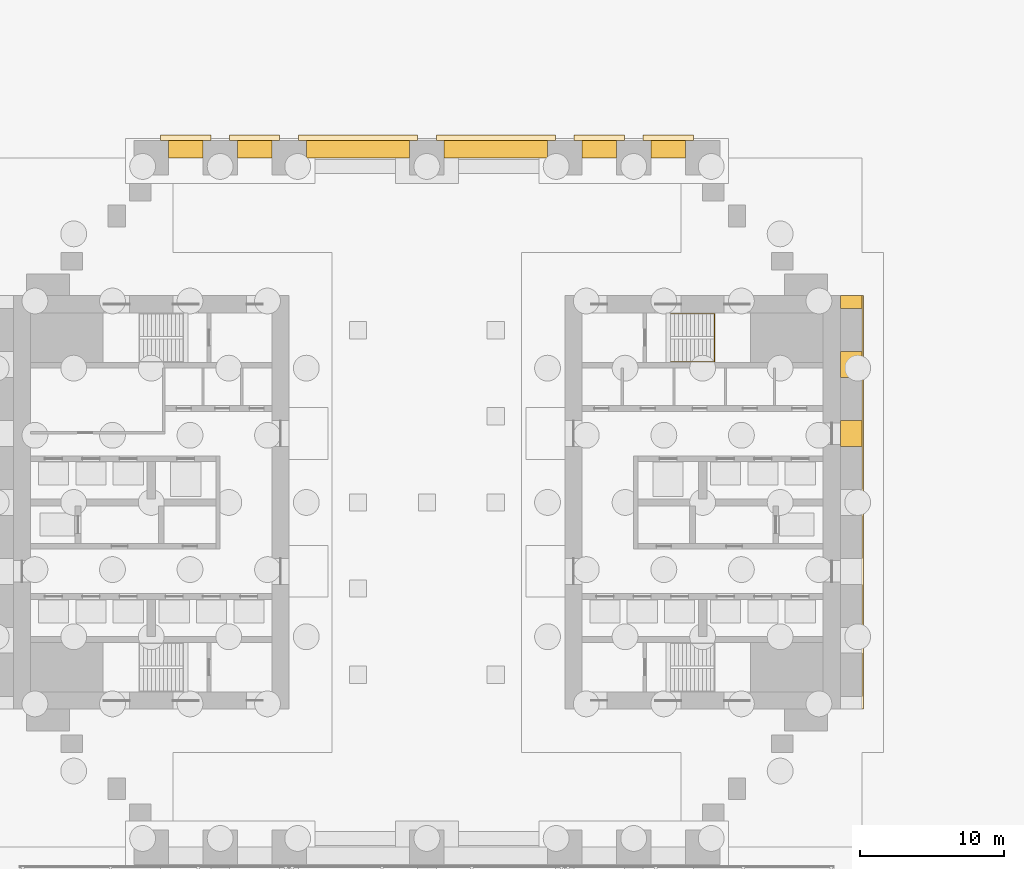
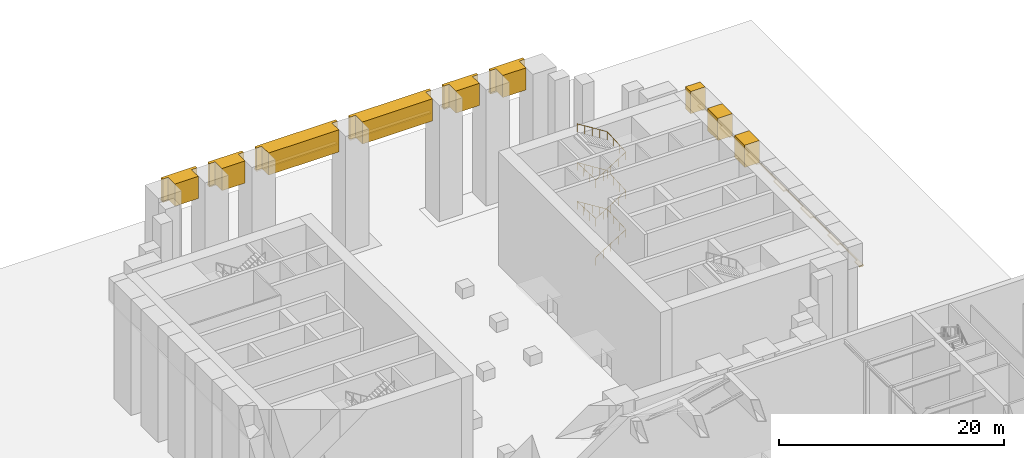
# One storey, part 57 of 58: 16 coverings, 1 railing.
"""IFC4 building model written with IfcOpenShell, lengths in metres."""

from ifc_helpers import new_model, si_unit, direction, frame, origin, origin_2d, place, context, subcontext, project, spatial, polyline, circle, outline, extrude, material, type_object, element, save


model = new_model("IFC4")

# Units and contexts
model_context = context("Model", 3, precision=1e-05, world=origin(), true_north=direction((0.0, 1.0)))
body_context = subcontext(model_context, "Body", "Model", "MODEL_VIEW")
ifc_project = project(units=[si_unit("LENGTHUNIT", "METRE"), si_unit("AREAUNIT", "SQUARE_METRE"), si_unit("VOLUMEUNIT", "CUBIC_METRE"), si_unit("PLANEANGLEUNIT", "RADIAN"), si_unit("MASSUNIT", "GRAM", prefix="KILO")], contexts=[model_context])

# Site, building, storey
site_placement = place(None, origin())
site = spatial("IfcSite", under=ifc_project, at=site_placement, CompositionType="ELEMENT")
building_placement = place(site_placement, origin())
building = spatial("IfcBuilding", under=site, at=building_placement, Name="Baori Bourse Tower", CompositionType="ELEMENT")
storey_placement = place(building_placement, origin())
storey = spatial("IfcBuildingStorey", under=building, at=storey_placement, Name="L00", CompositionType="ELEMENT", Elevation=0.0)

# Railing
ifc_material_1 = material(Name="Powder-coated steel balustrade", Category="steel")
railing_type = type_object("IfcRailingType", Name="Core stair handrail", PredefinedType="HANDRAIL", material=ifc_material_1)
railing_placement = place(storey_placement, frame((45.75, 33.800048828125, 0.175048828125)))
element("IfcRailing", 1, at=railing_placement, inside=storey, type_object=railing_type, Name="L00 ST4 stair handrail 1", PredefinedType="HANDRAIL", context=body_context, shape_type="SweptSolid", body=[
    extrude(circle(Radius=0.02392578125, at=origin_2d()), frame((0.0, 0.0, 0.8759765625), z_axis=(0.847998304005, 0.0, 0.529998940003), x_axis=(0.0, 1.0, 0.0)), (0.0, 0.0, 1.0), 3.632080078125),
    extrude(circle(Radius=0.02392578125, at=origin_2d()), frame((3.080078125, 0.0, 2.80078125), z_axis=(0.0, 0.998641252765, 0.052111882296), x_axis=(-1.0, 0.0, 0.0)), (0.0, 0.0, 1.0), 3.3544921875),
    extrude(circle(Radius=0.02392578125, at=origin_2d()), frame((3.080078125, 3.349853515625, 2.9755859375), z_axis=(-0.847998304005, 0.0, 0.529998940003), x_axis=(0.0, -1.0, 0.0)), (0.0, 0.0, 1.0), 3.632080078125),
    extrude(circle(Radius=0.02392578125, at=origin_2d()), frame((0.0, 3.349853515625, 4.90087890625), z_axis=(0.0, -0.99863746249, 0.052184466191), x_axis=(1.0, 0.0, 0.0)), (0.0, 0.0, 1.0), 3.3544921875),
    extrude(circle(Radius=0.02392578125, at=origin_2d()), frame((0.0, 0.0, 5.07568359375), z_axis=(0.847998304005, 0.0, 0.529998940003), x_axis=(0.0, 1.0, 0.0)), (0.0, 0.0, 1.0), 3.632080078125),
    extrude(circle(Radius=0.02392578125, at=origin_2d()), frame((3.080078125, 0.0, 7.0009765625), z_axis=(0.0, 0.99863746249, 0.052184466191), x_axis=(-1.0, 0.0, 0.0)), (0.0, 0.0, 1.0), 3.3544921875),
    extrude(circle(Radius=0.02392578125, at=origin_2d()), frame((3.080078125, 3.349853515625, 7.17578125), z_axis=(-0.848028513186, 0.0, 0.529950602248), x_axis=(0.0, -1.0, 0.0)), (0.0, 0.0, 1.0), 3.632080078125),
    extrude(circle(Radius=0.02392578125, at=origin_2d()), frame((0.0, 3.349853515625, 9.1005859375), z_axis=(0.0, -0.99863746249, 0.052184466191), x_axis=(1.0, 0.0, 0.0)), (0.0, 0.0, 1.0), 3.3544921875),
    extrude(circle(Radius=0.02392578125, at=origin_2d()), frame((0.0, 0.0, 9.27587890625), z_axis=(0.847998304005, 0.0, 0.529998940003), x_axis=(0.0, 1.0, 0.0)), (0.0, 0.0, 1.0), 3.632080078125),
    extrude(circle(Radius=0.02392578125, at=origin_2d()), frame((3.080078125, 0.0, 11.20068359375), z_axis=(0.0, 0.99863746249, 0.052184466191), x_axis=(-1.0, 0.0, 0.0)), (0.0, 0.0, 1.0), 3.3544921875),
    extrude(circle(Radius=0.02392578125, at=origin_2d()), frame((3.080078125, 3.349853515625, 11.3759765625), z_axis=(-0.847998304005, 0.0, 0.529998940003), x_axis=(0.0, -1.0, 0.0)), (0.0, 0.0, 1.0), 3.632080078125),
    extrude(circle(Radius=0.02099609375, at=origin_2d()), origin(), (0.0, 0.0, 1.0), 0.851806640625),
    extrude(circle(Radius=0.02099609375, at=origin_2d()), frame((0.77001953125, 0.0, 0.481201171875)), (0.0, 0.0, 1.0), 0.851806640625),
    extrude(circle(Radius=0.02099609375, at=origin_2d()), frame((1.5400390625, 0.0, 0.96240234375)), (0.0, 0.0, 1.0), 0.851806640625),
    extrude(circle(Radius=0.02099609375, at=origin_2d()), frame((2.31005859375, 0.0, 1.44384765625)), (0.0, 0.0, 1.0), 0.851806640625),
    extrude(circle(Radius=0.02099609375, at=origin_2d()), frame((3.080078125, 0.0, 1.925048828125)), (0.0, 0.0, 1.0), 0.851806640625),
    extrude(circle(Radius=0.02099609375, at=origin_2d()), frame((3.080078125, 1.11669921875, 1.9833984375)), (0.0, 0.0, 1.0), 0.851806640625),
    extrude(circle(Radius=0.02099609375, at=origin_2d()), frame((3.080078125, 2.233154296875, 2.04150390625)), (0.0, 0.0, 1.0), 0.851806640625),
    extrude(circle(Radius=0.02099609375, at=origin_2d()), frame((3.080078125, 3.349853515625, 2.099853515625)), (0.0, 0.0, 1.0), 0.851806640625),
    extrude(circle(Radius=0.02099609375, at=origin_2d()), frame((2.31005859375, 3.349853515625, 2.5810546875)), (0.0, 0.0, 1.0), 0.851806640625),
    extrude(circle(Radius=0.02099609375, at=origin_2d()), frame((1.5400390625, 3.349853515625, 3.0625)), (0.0, 0.0, 1.0), 0.851806640625),
    extrude(circle(Radius=0.02099609375, at=origin_2d()), frame((0.77001953125, 3.349853515625, 3.543701171875)), (0.0, 0.0, 1.0), 0.851806640625),
    extrude(circle(Radius=0.02099609375, at=origin_2d()), frame((0.0, 3.349853515625, 4.02490234375)), (0.0, 0.0, 1.0), 0.851806640625),
    extrude(circle(Radius=0.02099609375, at=origin_2d()), frame((0.0, 2.233154296875, 4.083251953125)), (0.0, 0.0, 1.0), 0.851806640625),
    extrude(circle(Radius=0.02099609375, at=origin_2d()), frame((0.0, 1.11669921875, 4.1416015625)), (0.0, 0.0, 1.0), 0.851806640625),
    extrude(circle(Radius=0.02099609375, at=origin_2d()), frame((0.0, 0.0, 4.199951171875)), (0.0, 0.0, 1.0), 0.851806640625),
    extrude(circle(Radius=0.02099609375, at=origin_2d()), frame((0.77001953125, 0.0, 4.68115234375)), (0.0, 0.0, 1.0), 0.851806640625),
    extrude(circle(Radius=0.02099609375, at=origin_2d()), frame((1.5400390625, 0.0, 5.16259765625)), (0.0, 0.0, 1.0), 0.851806640625),
    extrude(circle(Radius=0.02099609375, at=origin_2d()), frame((2.31005859375, 0.0, 5.643798828125)), (0.0, 0.0, 1.0), 0.851806640625),
    extrude(circle(Radius=0.02099609375, at=origin_2d()), frame((3.080078125, 0.0, 6.125)), (0.0, 0.0, 1.0), 0.851806640625),
    extrude(circle(Radius=0.02099609375, at=origin_2d()), frame((3.080078125, 1.11669921875, 6.183349609375)), (0.0, 0.0, 1.0), 0.851806640625),
    extrude(circle(Radius=0.02099609375, at=origin_2d()), frame((3.080078125, 2.233154296875, 6.24169921875)), (0.0, 0.0, 1.0), 0.851806640625),
    extrude(circle(Radius=0.02099609375, at=origin_2d()), frame((3.080078125, 3.349853515625, 6.300048828125)), (0.0, 0.0, 1.0), 0.851806640625),
    extrude(circle(Radius=0.02099609375, at=origin_2d()), frame((2.31005859375, 3.349853515625, 6.78125)), (0.0, 0.0, 1.0), 0.851806640625),
    extrude(circle(Radius=0.02099609375, at=origin_2d()), frame((1.5400390625, 3.349853515625, 7.262451171875)), (0.0, 0.0, 1.0), 0.851806640625),
    extrude(circle(Radius=0.02099609375, at=origin_2d()), frame((0.77001953125, 3.349853515625, 7.74365234375)), (0.0, 0.0, 1.0), 0.851806640625),
    extrude(circle(Radius=0.02099609375, at=origin_2d()), frame((0.0, 3.349853515625, 8.224853515625)), (0.0, 0.0, 1.0), 0.851806640625),
    extrude(circle(Radius=0.02099609375, at=origin_2d()), frame((0.0, 2.233154296875, 8.283203125)), (0.0, 0.0, 1.0), 0.851806640625),
    extrude(circle(Radius=0.02099609375, at=origin_2d()), frame((0.0, 1.11669921875, 8.341552734375)), (0.0, 0.0, 1.0), 0.851806640625),
    extrude(circle(Radius=0.02099609375, at=origin_2d()), frame((0.0, 0.0, 8.39990234375)), (0.0, 0.0, 1.0), 0.851806640625),
    extrude(circle(Radius=0.02099609375, at=origin_2d()), frame((0.77001953125, 0.0, 8.881103515625)), (0.0, 0.0, 1.0), 0.851806640625),
    extrude(circle(Radius=0.02099609375, at=origin_2d()), frame((1.5400390625, 0.0, 9.3623046875)), (0.0, 0.0, 1.0), 0.851806640625),
    extrude(circle(Radius=0.02099609375, at=origin_2d()), frame((2.31005859375, 0.0, 9.84375)), (0.0, 0.0, 1.0), 0.851806640625),
    extrude(circle(Radius=0.02099609375, at=origin_2d()), frame((3.080078125, 0.0, 10.324951171875)), (0.0, 0.0, 1.0), 0.851806640625),
    extrude(circle(Radius=0.02099609375, at=origin_2d()), frame((3.080078125, 1.11669921875, 10.38330078125)), (0.0, 0.0, 1.0), 0.851806640625),
    extrude(circle(Radius=0.02099609375, at=origin_2d()), frame((3.080078125, 2.233154296875, 10.441650390625)), (0.0, 0.0, 1.0), 0.851806640625),
    extrude(circle(Radius=0.02099609375, at=origin_2d()), frame((3.080078125, 3.349853515625, 10.5)), (0.0, 0.0, 1.0), 0.851806640625),
    extrude(circle(Radius=0.02099609375, at=origin_2d()), frame((2.31005859375, 3.349853515625, 10.981201171875)), (0.0, 0.0, 1.0), 0.851806640625),
    extrude(circle(Radius=0.02099609375, at=origin_2d()), frame((1.5400390625, 3.349853515625, 11.46240234375)), (0.0, 0.0, 1.0), 0.851806640625),
    extrude(circle(Radius=0.02099609375, at=origin_2d()), frame((0.77001953125, 3.349853515625, 11.94384765625)), (0.0, 0.0, 1.0), 0.851806640625),
    extrude(circle(Radius=0.02099609375, at=origin_2d()), frame((0.0, 3.349853515625, 12.425048828125)), (0.0, 0.0, 1.0), 0.851806640625),
])

# Coverings
ifc_material_2 = material(Name="Pale anodised aluminium", Category="aluminium")
covering_type_1 = type_object("IfcCoveringType", Name="ED3 Drip moulding", PredefinedType="MOLDING", material=ifc_material_2)
covering_1_placement = place(storey_placement, frame((0.0, 0.0, 10.050048828125)))
element("IfcCovering", 2, at=covering_1_placement, inside=storey, type_object=covering_type_1, Name="Drip moulding L00 1", PredefinedType="MOLDING", context=body_context, shape_type="SweptSolid", body=[
    extrude(outline(polyline([(58.800048828125, 10.5), (58.800048828125, 9.60009765625), (59.199951171875, 9.60009765625), (59.199951171875, 38.39990234375), (58.800048828125, 38.39990234375), (58.800048828125, 37.5), (59.10009765625, 37.5), (59.10009765625, 34.5), (58.800048828125, 34.5), (58.800048828125, 32.699951171875), (59.10009765625, 32.699951171875), (59.10009765625, 29.699951171875), (58.800048828125, 29.699951171875), (58.800048828125, 27.89990234375), (59.10009765625, 27.89990234375), (59.10009765625, 24.89990234375), (58.800048828125, 24.89990234375), (58.800048828125, 23.10009765625), (59.10009765625, 23.10009765625), (59.10009765625, 20.10009765625), (58.800048828125, 20.10009765625), (58.800048828125, 18.300048828125), (59.10009765625, 18.300048828125), (59.10009765625, 15.300048828125), (58.800048828125, 15.300048828125), (58.800048828125, 13.5), (59.10009765625, 13.5), (59.10009765625, 10.5), (58.800048828125, 10.5)])), origin(), (0.0, 0.0, 1.0), 0.14990234375),
])
covering_2_placement = place(storey_placement, frame((0.0, 0.0, 10.050048828125)))
element("IfcCovering", 3, at=covering_2_placement, inside=storey, type_object=covering_type_1, Name="Drip moulding L00 2", PredefinedType="MOLDING", context=body_context, shape_type="SweptSolid", body=[
    extrude(outline(polyline([(46.800048828125, 49.199951171875), (47.35009765625, 49.199951171875), (47.35009765625, 49.60009765625), (43.85009765625, 49.60009765625), (43.85009765625, 49.199951171875), (44.39990234375, 49.199951171875), (46.800048828125, 49.199951171875)])), origin(), (0.0, 0.0, 1.0), 0.14990234375),
])
covering_3_placement = place(storey_placement, frame((0.0, 0.0, 10.050048828125)))
element("IfcCovering", 4, at=covering_3_placement, inside=storey, type_object=covering_type_1, Name="Drip moulding L00 3", PredefinedType="MOLDING", context=body_context, shape_type="SweptSolid", body=[
    extrude(outline(polyline([(42.0, 49.199951171875), (42.550048828125, 49.199951171875), (42.550048828125, 49.60009765625), (39.050048828125, 49.60009765625), (39.050048828125, 49.199951171875), (39.60009765625, 49.199951171875), (42.0, 49.199951171875)])), origin(), (0.0, 0.0, 1.0), 0.14990234375),
])
covering_4_placement = place(storey_placement, frame((0.0, 0.0, 10.050048828125)))
element("IfcCovering", 5, at=covering_4_placement, inside=storey, type_object=covering_type_1, Name="Drip moulding L00 4", PredefinedType="MOLDING", context=body_context, shape_type="SweptSolid", body=[
    extrude(outline(polyline([(37.199951171875, 49.199951171875), (37.75, 49.199951171875), (37.75, 49.60009765625), (29.449951171875, 49.60009765625), (29.449951171875, 49.199951171875), (30.0, 49.199951171875), (37.199951171875, 49.199951171875)])), origin(), (0.0, 0.0, 1.0), 0.14990234375),
])
covering_5_placement = place(storey_placement, frame((0.0, 0.0, 10.050048828125)))
element("IfcCovering", 6, at=covering_5_placement, inside=storey, type_object=covering_type_1, Name="Drip moulding L00 5", PredefinedType="MOLDING", context=body_context, shape_type="SweptSolid", body=[
    extrude(outline(polyline([(27.60009765625, 49.199951171875), (28.14990234375, 49.199951171875), (28.14990234375, 49.60009765625), (19.85009765625, 49.60009765625), (19.85009765625, 49.199951171875), (20.39990234375, 49.199951171875), (27.60009765625, 49.199951171875)])), origin(), (0.0, 0.0, 1.0), 0.14990234375),
])
covering_6_placement = place(storey_placement, frame((0.0, 0.0, 10.050048828125)))
element("IfcCovering", 7, at=covering_6_placement, inside=storey, type_object=covering_type_1, Name="Drip moulding L00 6", PredefinedType="MOLDING", context=body_context, shape_type="SweptSolid", body=[
    extrude(outline(polyline([(18.0, 49.199951171875), (18.550048828125, 49.199951171875), (18.550048828125, 49.60009765625), (15.050048828125, 49.60009765625), (15.050048828125, 49.199951171875), (15.60009765625, 49.199951171875), (18.0, 49.199951171875)])), origin(), (0.0, 0.0, 1.0), 0.14990234375),
])
covering_7_placement = place(storey_placement, frame((0.0, 0.0, 10.050048828125)))
element("IfcCovering", 8, at=covering_7_placement, inside=storey, type_object=covering_type_1, Name="Drip moulding L00 7", PredefinedType="MOLDING", context=body_context, shape_type="SweptSolid", body=[
    extrude(outline(polyline([(13.199951171875, 49.199951171875), (13.75, 49.199951171875), (13.75, 49.60009765625), (10.25, 49.60009765625), (10.25, 49.199951171875), (10.800048828125, 49.199951171875), (13.199951171875, 49.199951171875)])), origin(), (0.0, 0.0, 1.0), 0.14990234375),
])
ifc_material_3 = material(Name="Pale anodised aluminium", Category="aluminium")
covering_type_2 = type_object("IfcCoveringType", Name="ED4 Stilt fascia band", PredefinedType="CLADDING", material=ifc_material_3)
covering_8_placement = place(storey_placement, frame((0.0, 0.0, 10.199951171875)))
element("IfcCovering", 9, at=covering_8_placement, inside=storey, type_object=covering_type_2, Name="Stilt fascia band L00 1", PredefinedType="CLADDING", context=body_context, shape_type="SweptSolid", body=[
    extrude(outline(polyline([(57.60009765625, 29.699951171875), (57.60009765625, 27.89990234375), (59.10009765625, 27.89990234375), (59.10009765625, 29.699951171875), (57.60009765625, 29.699951171875)])), origin(), (0.0, 0.0, 1.0), 2.400146484375),
])
covering_9_placement = place(storey_placement, frame((0.0, 0.0, 10.199951171875)))
element("IfcCovering", 10, at=covering_9_placement, inside=storey, type_object=covering_type_2, Name="Stilt fascia band L00 5", PredefinedType="CLADDING", context=body_context, shape_type="SweptSolid", body=[
    extrude(outline(polyline([(57.60009765625, 34.5), (57.60009765625, 32.699951171875), (59.10009765625, 32.699951171875), (59.10009765625, 34.5), (57.60009765625, 34.5)])), origin(), (0.0, 0.0, 1.0), 2.400146484375),
])
covering_10_placement = place(storey_placement, frame((0.0, 0.0, 10.199951171875)))
element("IfcCovering", 11, at=covering_10_placement, inside=storey, type_object=covering_type_2, Name="Stilt fascia band L00 7", PredefinedType="CLADDING", context=body_context, shape_type="SweptSolid", body=[
    extrude(outline(polyline([(57.60009765625, 38.39990234375), (57.60009765625, 37.5), (59.10009765625, 37.5), (59.10009765625, 38.39990234375), (57.60009765625, 38.39990234375)])), origin(), (0.0, 0.0, 1.0), 2.400146484375),
])
covering_11_placement = place(storey_placement, frame((0.0, 0.0, 10.199951171875)))
element("IfcCovering", 12, at=covering_11_placement, inside=storey, type_object=covering_type_2, Name="Stilt fascia band L00 8", PredefinedType="CLADDING", context=body_context, shape_type="SweptSolid", body=[
    extrude(outline(polyline([(44.39990234375, 48.0), (46.800048828125, 48.0), (46.800048828125, 49.199951171875), (47.35009765625, 49.199951171875), (47.35009765625, 49.5), (43.85009765625, 49.5), (43.85009765625, 49.199951171875), (44.39990234375, 49.199951171875), (44.39990234375, 48.0)])), origin(), (0.0, 0.0, 1.0), 2.400146484375),
])
covering_12_placement = place(storey_placement, frame((0.0, 0.0, 10.199951171875)))
element("IfcCovering", 13, at=covering_12_placement, inside=storey, type_object=covering_type_2, Name="Stilt fascia band L00 9", PredefinedType="CLADDING", context=body_context, shape_type="SweptSolid", body=[
    extrude(outline(polyline([(39.60009765625, 48.0), (42.0, 48.0), (42.0, 49.199951171875), (42.550048828125, 49.199951171875), (42.550048828125, 49.5), (39.050048828125, 49.5), (39.050048828125, 49.199951171875), (39.60009765625, 49.199951171875), (39.60009765625, 48.0)])), origin(), (0.0, 0.0, 1.0), 2.400146484375),
])
covering_13_placement = place(storey_placement, frame((0.0, 0.0, 10.199951171875)))
element("IfcCovering", 14, at=covering_13_placement, inside=storey, type_object=covering_type_2, Name="Stilt fascia band L00 10", PredefinedType="CLADDING", context=body_context, shape_type="SweptSolid", body=[
    extrude(outline(polyline([(30.0, 48.0), (37.199951171875, 48.0), (37.199951171875, 49.199951171875), (37.75, 49.199951171875), (37.75, 49.5), (29.449951171875, 49.5), (29.449951171875, 49.199951171875), (30.0, 49.199951171875), (30.0, 48.0)])), origin(), (0.0, 0.0, 1.0), 2.400146484375),
])
covering_14_placement = place(storey_placement, frame((0.0, 0.0, 10.199951171875)))
element("IfcCovering", 15, at=covering_14_placement, inside=storey, type_object=covering_type_2, Name="Stilt fascia band L00 11", PredefinedType="CLADDING", context=body_context, shape_type="SweptSolid", body=[
    extrude(outline(polyline([(20.39990234375, 48.0), (27.60009765625, 48.0), (27.60009765625, 49.199951171875), (28.14990234375, 49.199951171875), (28.14990234375, 49.5), (19.85009765625, 49.5), (19.85009765625, 49.199951171875), (20.39990234375, 49.199951171875), (20.39990234375, 48.0)])), origin(), (0.0, 0.0, 1.0), 2.400146484375),
])
covering_15_placement = place(storey_placement, frame((0.0, 0.0, 10.199951171875)))
element("IfcCovering", 16, at=covering_15_placement, inside=storey, type_object=covering_type_2, Name="Stilt fascia band L00 12", PredefinedType="CLADDING", context=body_context, shape_type="SweptSolid", body=[
    extrude(outline(polyline([(15.60009765625, 48.0), (18.0, 48.0), (18.0, 49.199951171875), (18.550048828125, 49.199951171875), (18.550048828125, 49.5), (15.050048828125, 49.5), (15.050048828125, 49.199951171875), (15.60009765625, 49.199951171875), (15.60009765625, 48.0)])), origin(), (0.0, 0.0, 1.0), 2.400146484375),
])
covering_16_placement = place(storey_placement, frame((0.0, 0.0, 10.199951171875)))
element("IfcCovering", 17, at=covering_16_placement, inside=storey, type_object=covering_type_2, Name="Stilt fascia band L00 13", PredefinedType="CLADDING", context=body_context, shape_type="SweptSolid", body=[
    extrude(outline(polyline([(10.800048828125, 48.0), (13.199951171875, 48.0), (13.199951171875, 49.199951171875), (13.75, 49.199951171875), (13.75, 49.5), (10.25, 49.5), (10.25, 49.199951171875), (10.800048828125, 49.199951171875), (10.800048828125, 48.0)])), origin(), (0.0, 0.0, 1.0), 2.400146484375),
])

save(model, "model.ifc")
